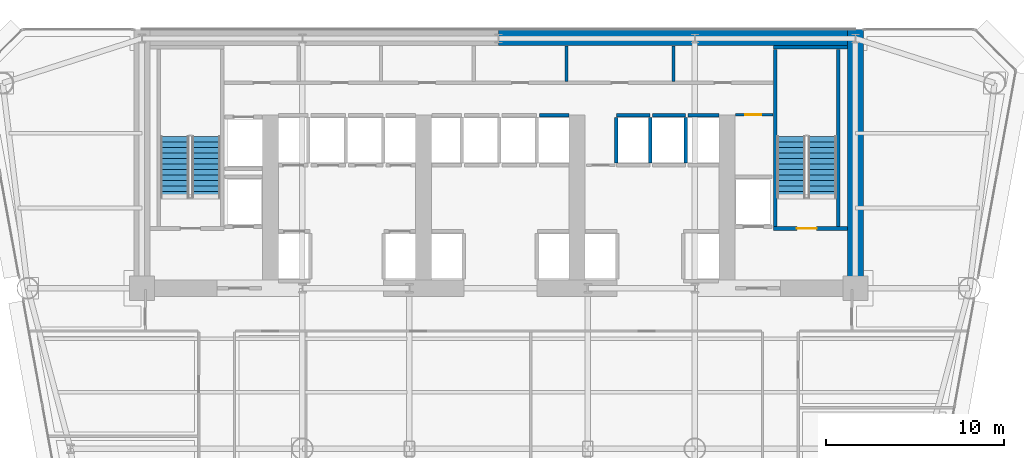
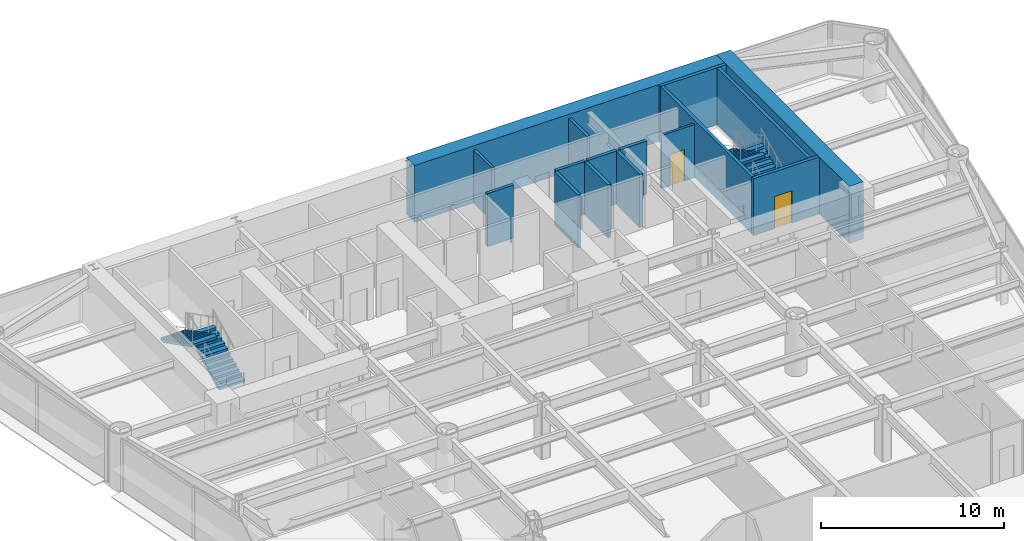
# One storey, part 10 of 14: 16 walls, 4 stair flights, 2 doors, 2 openings, 2 elements without a shape of their own.
"""IFC4 building model written with IfcOpenShell, lengths in metres."""

from ifc_helpers import new_model, si_unit, direction, frame, frame_2d, origin, place, context, subcontext, project, spatial, polyline, rectangle, outline, extrude, source, transform, mapped, material, layer, layer_set, type_object, element, fill, aggregate, save


model = new_model("IFC4")

# Units and contexts
model_context = context("Model", 3, precision=1e-05, world=origin(), true_north=direction((0.0, 1.0)))
body_context = subcontext(model_context, "Body", "Model", "MODEL_VIEW")
ifc_project = project(units=[si_unit("LENGTHUNIT", "METRE"), si_unit("AREAUNIT", "SQUARE_METRE"), si_unit("VOLUMEUNIT", "CUBIC_METRE"), si_unit("PLANEANGLEUNIT", "RADIAN"), si_unit("MASSUNIT", "GRAM", prefix="KILO")], contexts=[model_context])

# Site, building, storey
site_placement = place(None, origin())
site = spatial("IfcSite", under=ifc_project, at=site_placement, CompositionType="ELEMENT")
building_placement = place(site_placement, origin())
building = spatial("IfcBuilding", under=site, at=building_placement, Name="Vaeldorn Concourse Tower", CompositionType="ELEMENT")
storey_placement = place(building_placement, frame((0.0, 0.0, 79.60009765625)))
storey = spatial("IfcBuildingStorey", under=building, at=storey_placement, Name="L20", CompositionType="ELEMENT", Elevation=79.60009765625)

# Walls
ifc_material_1 = material(Name="Concrete C60/75", Category="concrete")
ifc_layer_1 = layer(ifc_material_1, 0.89990234375)
ifc_layer_set_1 = layer_set([ifc_layer_1], Name="Concrete C60/75")
wall_type_1 = type_object("IfcWallType", Name="WL-CORE-900", PredefinedType="SHEAR", material=ifc_layer_set_1)
wall_1_placement = place(storey_placement, frame((34.001953125, 50.550048828125, 0.0), z_axis=(0.0, 0.0, 1.0), x_axis=(1.0, 0.0, 0.0)))
element("IfcWall", 1, at=wall_1_placement, inside=storey, type_object=wall_type_1, Name="Rear Core Shear Wall L20 N2", PredefinedType="SHEAR", context=body_context, shape_type="SweptSolid", body=[
    extrude(rectangle(XDim=19.5439453125, YDim=0.89990234375, at=frame_2d((9.77197265625, 0.0))), origin(), (0.0, 0.0, 1.0), 3.7998046875),
])
wall_2_placement = place(storey_placement, frame((54.0, 36.5, 0.0), z_axis=(0.0, 0.0, 1.0), x_axis=(0.0, 1.0, 0.0)))
element("IfcWall", 2, at=wall_2_placement, inside=storey, type_object=wall_type_1, Name="Rear Core Shear Wall L20 E1", PredefinedType="SHEAR", context=body_context, shape_type="SweptSolid", body=[
    extrude(rectangle(XDim=14.5, YDim=0.89990234375, at=frame_2d((7.25, 0.0))), origin(), (0.0, 0.0, 1.0), 3.7998046875),
])

# Wall, opening, door
ifc_material_2 = material(Name="Gypsum Board Partition", Category="gypsum")
ifc_layer_2 = layer(ifc_material_2, 0.14990234375)
ifc_layer_set_2 = layer_set([ifc_layer_2], Name="Gypsum Board Partition")
wall_type_2 = type_object("IfcWallType", Name="WL-PART-150", PredefinedType="PARTITIONING", material=ifc_layer_set_2)
wall_3_placement = place(storey_placement, frame((47.280029296875, 46.219970703125, 0.0), z_axis=(0.0, 0.0, 1.0), x_axis=(1.0, 0.0, 0.0)))
wall_3 = element("IfcWall", 3, at=wall_3_placement, inside=storey, type_object=wall_type_2, Name="Interior Wall CW-L20-CRSE-N", PredefinedType="PARTITIONING", context=body_context, shape_type="SweptSolid", body=[
    extrude(rectangle(XDim=2.099853515625, YDim=0.14990234375, at=frame_2d((1.0498046875, 0.0))), origin(), (0.0, 0.0, 1.0), 3.539794921875),
])
opening_1_placement = place(wall_3_placement, frame((0.550048828125, 0.0, 0.0)))
opening_1 = element("IfcOpeningElement", 4, at=opening_1_placement, cuts=wall_3, Name="Opening D-02", PredefinedType="OPENING", context=body_context, shape_type="SweptSolid", body=[
    extrude(rectangle(XDim=0.89990234375, YDim=2.10009765625, at=frame_2d((0.449951171875, 1.050048828125))), frame((0.0, 0.0849609375, 0.0), z_axis=(0.0, -1.0, 0.0), x_axis=(1.0, 0.0, 0.0)), (0.0, 0.0, 1.0), 0.169921875),
])
ifc_material_3 = material(Name="Fire-Rated Timber Leaf", Category="wood")
door_type_1 = type_object("IfcDoorType", Name="DR-FD30-900", OperationType="NOTDEFINED", PredefinedType="DOOR", material=ifc_material_3)
shared_shape_1 = source(origin(), body_context, "Body", "SweptSolid", [
    extrude(rectangle(XDim=0.89990234375, YDim=2.10009765625, at=frame_2d((0.449951171875, 1.050048828125))), frame((0.0, 0.02490234375, 0.0), z_axis=(0.0, -1.0, 0.0), x_axis=(1.0, 0.0, 0.0)), (0.0, 0.0, 1.0), 0.050048828125),
])
door_1_placement = place(opening_1_placement, origin())
door_1 = element("IfcDoor", 5, at=door_1_placement, inside=storey, type_object=door_type_1, Name="Interior Door DR-L20-CRSE", OperationType="SINGLE_SWING_RIGHT", OverallHeight=2.10009765625, OverallWidth=0.89990234375, PredefinedType="DOOR", context=body_context, shape_type="MappedRepresentation", body=[
    mapped(shared_shape_1, transform((0.0, 0.0, 0.0), scale=1.0)),
])
fill(opening_1, door_1)

# Walls
ifc_layer_3 = layer(ifc_material_2, 0.179931640625)
ifc_layer_set_3 = layer_set([ifc_layer_3], Name="Gypsum Board Partition")
wall_type_3 = type_object("IfcWallType", Name="WL-PLUMB-180", PredefinedType="PLUMBINGWALL", material=ifc_layer_set_3)
for number, where, z_axis, x_axis, name in (
    (6, (37.800048828125, 48.10009765625, 0.0), (0.0, 0.0, 1.0), (0.0, 1.0, 0.0), "Interior Wall CW-L20-NDIV4"),
    (7, (43.800048828125, 48.10009765625, 0.0), (0.0, 0.0, 1.0), (0.0, 1.0, 0.0), "Interior Wall CW-L20-NDIV5"),
):
    element("IfcWall", number, at=place(storey_placement, frame(where, z_axis=z_axis, x_axis=x_axis)), inside=storey, type_object=wall_type_3, Name=name, PredefinedType="PLUMBINGWALL", context=body_context, shape_type="SweptSolid", body=[
        extrude(rectangle(XDim=1.97998046875, YDim=0.179931640625, at=frame_2d((0.989990234375, 0.0))), origin(), (0.0, 0.0, 1.0), 3.539794921875),
    ])

# Wall, opening, door
ifc_material_4 = material(Name="Concrete C50/60", Category="concrete")
ifc_layer_4 = layer(ifc_material_4, 0.199951171875)
ifc_layer_set_4 = layer_set([ifc_layer_4], Name="Concrete C50/60")
wall_type_4 = type_object("IfcWallType", Name="WL-SHAFT-200", PredefinedType="SOLIDWALL", material=ifc_layer_set_4)
wall_4_placement = place(storey_placement, frame((49.39990234375, 39.85009765625, 0.0), z_axis=(0.0, 0.0, 1.0), x_axis=(1.0, 0.0, 0.0)))
wall_4 = element("IfcWall", 8, at=wall_4_placement, inside=storey, type_object=wall_type_4, Name="Stair Shaft Wall CW-L20-ST-2-S", PredefinedType="SOLIDWALL", context=body_context, shape_type="SweptSolid", body=[
    extrude(rectangle(XDim=4.150146484375, YDim=0.199951171875, at=frame_2d((2.0751953125, 0.0))), origin(), (0.0, 0.0, 1.0), 3.7998046875),
])
opening_2_placement = place(wall_4_placement, frame((1.324951171875, 0.0, 0.0)))
opening_2 = element("IfcOpeningElement", 9, at=opening_2_placement, cuts=wall_4, Name="Opening D-01", PredefinedType="OPENING", context=body_context, shape_type="SweptSolid", body=[
    extrude(rectangle(XDim=1.10009765625, YDim=2.14990234375, at=frame_2d((0.550048828125, 1.074951171875))), frame((0.0, 0.10986328125, 0.0), z_axis=(0.0, -1.0, 0.0), x_axis=(1.0, 0.0, 0.0)), (0.0, 0.0, 1.0), 0.219970703125),
])
ifc_material_5 = material(Name="Fire-Rated Timber and Steel Leaf", Category="steel")
door_type_2 = type_object("IfcDoorType", Name="DR-FD60-1100", OperationType="NOTDEFINED", PredefinedType="DOOR", material=ifc_material_5)
shared_shape_2 = source(origin(), body_context, "Body", "SweptSolid", [
    extrude(rectangle(XDim=1.10009765625, YDim=2.14990234375, at=frame_2d((0.550048828125, 1.074951171875))), frame((0.0, 0.02490234375, 0.0), z_axis=(0.0, -1.0, 0.0), x_axis=(1.0, 0.0, 0.0)), (0.0, 0.0, 1.0), 0.050048828125),
])
door_2_placement = place(opening_2_placement, origin())
door_2 = element("IfcDoor", 10, at=door_2_placement, inside=storey, type_object=door_type_2, Name="Interior Door DR-L20-ST-2", OperationType="SINGLE_SWING_RIGHT", OverallHeight=2.14990234375, OverallWidth=1.10009765625, PredefinedType="DOOR", context=body_context, shape_type="MappedRepresentation", body=[
    mapped(shared_shape_2, transform((0.0, 0.0, 0.0), scale=1.0)),
])
fill(opening_2, door_2)

# Walls
wall_5_placement = place(storey_placement, frame((49.39990234375, 50.0, 0.0), z_axis=(0.0, 0.0, 1.0), x_axis=(1.0, 0.0, 0.0)))
element("IfcWall", 11, at=wall_5_placement, inside=storey, type_object=wall_type_4, Name="Stair Shaft Wall CW-L20-ST-2-N", PredefinedType="SOLIDWALL", context=body_context, shape_type="SweptSolid", body=[
    extrude(rectangle(XDim=4.150146484375, YDim=0.199951171875, at=frame_2d((2.0751953125, 0.0))), origin(), (0.0, 0.0, 1.0), 3.7998046875),
])
for number, where, z_axis, x_axis, name in (
    (12, (49.5, 39.9599609375, 0.0), (0.0, 0.0, 1.0), (0.0, 1.0, 0.0), "Stair Shaft Wall CW-L20-ST-2-W"),
    (13, (53.050048828125, 39.9599609375, 0.0), (0.0, 0.0, 1.0), (0.0, 1.0, 0.0), "Stair Shaft Wall CW-L20-ST-2-E"),
):
    element("IfcWall", number, at=place(storey_placement, frame(where, z_axis=z_axis, x_axis=x_axis)), inside=storey, type_object=wall_type_4, Name=name, PredefinedType="SOLIDWALL", context=body_context, shape_type="SweptSolid", body=[
        extrude(rectangle(XDim=9.929931640625, YDim=0.199951171875, at=frame_2d((4.96484375, 0.0))), origin(), (0.0, 0.0, 1.0), 3.7998046875),
    ])
wall_6_placement = place(storey_placement, frame((36.2900390625, 46.199951171875, 0.0), z_axis=(0.0, 0.0, 1.0), x_axis=(1.0, 0.0, 0.0)))
element("IfcWall", 14, at=wall_6_placement, inside=storey, type_object=wall_type_4, Name="Interior Wall CW-L20-LFB-LF-12", PredefinedType="SOLIDWALL", context=body_context, shape_type="SweptSolid", body=[
    extrude(rectangle(XDim=1.64990234375, YDim=0.199951171875, at=frame_2d((0.824951171875, 0.0))), origin(), (0.0, 0.0, 1.0), 3.539794921875),
])
wall_7_placement = place(storey_placement, frame((40.6201171875, 46.199951171875, 0.0), z_axis=(0.0, 0.0, 1.0), x_axis=(1.0, 0.0, 0.0)))
element("IfcWall", 15, at=wall_7_placement, inside=storey, type_object=wall_type_4, Name="Interior Wall CW-L20-LFB-LF-15", PredefinedType="SOLIDWALL", context=body_context, shape_type="SweptSolid", body=[
    extrude(rectangle(XDim=1.85986328125, YDim=0.199951171875, at=frame_2d((0.929931640625, 0.0))), origin(), (0.0, 0.0, 1.0), 3.539794921875),
])
for number, where, z_axis, x_axis, name in (
    (16, (40.60009765625, 43.52001953125, 0.0), (0.0, 0.0, 1.0), (0.0, 1.0, 0.0), "Interior Wall CW-L20-LFW-LF-15"),
    (17, (42.5, 43.52001953125, 0.0), (0.0, 0.0, 1.0), (0.0, 1.0, 0.0), "Interior Wall CW-L20-LFE-LF-15"),
):
    element("IfcWall", number, at=place(storey_placement, frame(where, z_axis=z_axis, x_axis=x_axis)), inside=storey, type_object=wall_type_4, Name=name, PredefinedType="SOLIDWALL", context=body_context, shape_type="SweptSolid", body=[
        extrude(rectangle(XDim=2.56005859375, YDim=0.199951171875, at=frame_2d((1.280029296875, 0.0))), origin(), (0.0, 0.0, 1.0), 3.539794921875),
    ])
wall_8_placement = place(storey_placement, frame((42.6201171875, 46.199951171875, 0.0), z_axis=(0.0, 0.0, 1.0), x_axis=(1.0, 0.0, 0.0)))
element("IfcWall", 18, at=wall_8_placement, inside=storey, type_object=wall_type_4, Name="Interior Wall CW-L20-LFB-LF-16", PredefinedType="SOLIDWALL", context=body_context, shape_type="SweptSolid", body=[
    extrude(rectangle(XDim=1.85986328125, YDim=0.199951171875, at=frame_2d((0.929931640625, 0.0))), origin(), (0.0, 0.0, 1.0), 3.539794921875),
])
wall_9_placement = place(storey_placement, frame((44.5, 43.52001953125, 0.0), z_axis=(0.0, 0.0, 1.0), x_axis=(0.0, 1.0, 0.0)))
element("IfcWall", 19, at=wall_9_placement, inside=storey, type_object=wall_type_4, Name="Interior Wall CW-L20-LFE-LF-16", PredefinedType="SOLIDWALL", context=body_context, shape_type="SweptSolid", body=[
    extrude(rectangle(XDim=2.56005859375, YDim=0.199951171875, at=frame_2d((1.280029296875, 0.0))), origin(), (0.0, 0.0, 1.0), 3.539794921875),
])
wall_10_placement = place(storey_placement, frame((44.6201171875, 46.199951171875, 0.0), z_axis=(0.0, 0.0, 1.0), x_axis=(1.0, 0.0, 0.0)))
element("IfcWall", 20, at=wall_10_placement, inside=storey, type_object=wall_type_4, Name="Interior Wall CW-L20-LFB-LF-17", PredefinedType="SOLIDWALL", context=body_context, shape_type="SweptSolid", body=[
    extrude(rectangle(XDim=1.719970703125, YDim=0.199951171875, at=frame_2d((0.85986328125, 0.0))), origin(), (0.0, 0.0, 1.0), 3.539794921875),
])

# Stair, stair flights
ifc_material_6 = material(Name="Precast concrete C40/50", Category="concrete")
stair_type = type_object("IfcStairType", Name="STR-DOG-24x158", PredefinedType="HALF_TURN_STAIR", material=ifc_material_6)
stair_1_placement = place(storey_placement, origin())
stair_1 = element("IfcStair", 21, at=stair_1_placement, inside=storey, type_object=stair_type, Name="L20 West Core Exit Stair ST-1", PredefinedType="HALF_TURN_STAIR")
stair_flight_type = type_object("IfcStairFlightType", Name="STF-STR-12x158", PredefinedType="STRAIGHT", material=ifc_material_6)
stair_flight_1_placement = place(storey_placement, frame((17.60009765625, 41.60009765625, 0.0), z_axis=(0.0, 0.0, 1.0), x_axis=(0.0, 1.0, 0.0)))
stair_flight_1 = element("IfcStairFlight", 22, at=stair_flight_1_placement, type_object=stair_flight_type, Name="ST-1 flight 1", NumberOfRisers=12, NumberOfTreads=11, PredefinedType="STRAIGHT", RiserHeight=0.158333333, TreadLength=0.31, context=body_context, shape_type="SweptSolid", body=[
    extrude(outline(polyline([(0.0, 0.0), (0.0, 0.158447265625), (0.31005859375, 0.158447265625), (0.31005859375, 0.316650390625), (0.6201171875, 0.316650390625), (0.6201171875, 0.47509765625), (0.929931640625, 0.47509765625), (0.929931640625, 0.63330078125), (1.239990234375, 0.63330078125), (1.239990234375, 0.791748046875), (1.550048828125, 0.791748046875), (1.550048828125, 0.949951171875), (1.860107421875, 0.949951171875), (1.860107421875, 1.1083984375), (2.169921875, 1.1083984375), (2.169921875, 1.2666015625), (2.47998046875, 1.2666015625), (2.47998046875, 1.425048828125), (2.7900390625, 1.425048828125), (2.7900390625, 1.583251953125), (3.10009765625, 1.583251953125), (3.10009765625, 1.74169921875), (3.409912109375, 1.74169921875), (3.409912109375, 1.89990234375), (3.409912109375, 1.5732421875), (0.32958984375, 0.0), (0.0, 0.0)])), frame((0.0, 0.800048828125, 0.0), z_axis=(0.0, -1.0, 0.0), x_axis=(1.0, 0.0, 0.0)), (0.0, 0.0, 1.0), 1.60009765625),
])
stair_flight_2_placement = place(storey_placement, frame((15.85009765625, 45.010009765625, 1.89990234375), z_axis=(0.0, 0.0, 1.0), x_axis=(0.0, -1.0, 0.0)))
stair_flight_2 = element("IfcStairFlight", 23, at=stair_flight_2_placement, type_object=stair_flight_type, Name="ST-1 flight 2", NumberOfRisers=12, NumberOfTreads=11, PredefinedType="STRAIGHT", RiserHeight=0.158333333, TreadLength=0.31, context=body_context, shape_type="SweptSolid", body=[
    extrude(outline(polyline([(0.0, 0.0), (0.0, 0.158447265625), (0.31005859375, 0.158447265625), (0.31005859375, 0.316650390625), (0.6201171875, 0.316650390625), (0.6201171875, 0.47509765625), (0.929931640625, 0.47509765625), (0.929931640625, 0.63330078125), (1.239990234375, 0.63330078125), (1.239990234375, 0.791748046875), (1.550048828125, 0.791748046875), (1.550048828125, 0.949951171875), (1.860107421875, 0.949951171875), (1.860107421875, 1.1083984375), (2.169921875, 1.1083984375), (2.169921875, 1.2666015625), (2.47998046875, 1.2666015625), (2.47998046875, 1.425048828125), (2.7900390625, 1.425048828125), (2.7900390625, 1.583251953125), (3.10009765625, 1.583251953125), (3.10009765625, 1.74169921875), (3.409912109375, 1.74169921875), (3.409912109375, 1.89990234375), (3.409912109375, 1.5732421875), (0.32958984375, 0.0), (0.0, 0.0)])), frame((0.0, 0.800048828125, 0.0), z_axis=(0.0, -1.0, 0.0), x_axis=(1.0, 0.0, 0.0)), (0.0, 0.0, 1.0), 1.60009765625),
])
aggregate(stair_1, [stair_flight_1, stair_flight_2])

stair_2_placement = place(storey_placement, origin())
stair_2 = element("IfcStair", 24, at=stair_2_placement, inside=storey, type_object=stair_type, Name="L20 East Core Exit Stair ST-2", PredefinedType="HALF_TURN_STAIR")
stair_flight_3_placement = place(storey_placement, frame((52.14990234375, 41.60009765625, 0.0), z_axis=(0.0, 0.0, 1.0), x_axis=(0.0, 1.0, 0.0)))
stair_flight_3 = element("IfcStairFlight", 25, at=stair_flight_3_placement, type_object=stair_flight_type, Name="ST-2 flight 1", NumberOfRisers=12, NumberOfTreads=11, PredefinedType="STRAIGHT", RiserHeight=0.158333333, TreadLength=0.31, context=body_context, shape_type="SweptSolid", body=[
    extrude(outline(polyline([(0.0, 0.0), (0.0, 0.158447265625), (0.31005859375, 0.158447265625), (0.31005859375, 0.316650390625), (0.6201171875, 0.316650390625), (0.6201171875, 0.47509765625), (0.929931640625, 0.47509765625), (0.929931640625, 0.63330078125), (1.239990234375, 0.63330078125), (1.239990234375, 0.791748046875), (1.550048828125, 0.791748046875), (1.550048828125, 0.949951171875), (1.860107421875, 0.949951171875), (1.860107421875, 1.1083984375), (2.169921875, 1.1083984375), (2.169921875, 1.2666015625), (2.47998046875, 1.2666015625), (2.47998046875, 1.425048828125), (2.7900390625, 1.425048828125), (2.7900390625, 1.583251953125), (3.10009765625, 1.583251953125), (3.10009765625, 1.74169921875), (3.409912109375, 1.74169921875), (3.409912109375, 1.89990234375), (3.409912109375, 1.5732421875), (0.32958984375, 0.0), (0.0, 0.0)])), frame((0.0, 0.800048828125, 0.0), z_axis=(0.0, -1.0, 0.0), x_axis=(1.0, 0.0, 0.0)), (0.0, 0.0, 1.0), 1.60009765625),
])
stair_flight_4_placement = place(storey_placement, frame((50.39990234375, 45.010009765625, 1.89990234375), z_axis=(0.0, 0.0, 1.0), x_axis=(0.0, -1.0, 0.0)))
stair_flight_4 = element("IfcStairFlight", 26, at=stair_flight_4_placement, type_object=stair_flight_type, Name="ST-2 flight 2", NumberOfRisers=12, NumberOfTreads=11, PredefinedType="STRAIGHT", RiserHeight=0.158333333, TreadLength=0.31, context=body_context, shape_type="SweptSolid", body=[
    extrude(outline(polyline([(0.0, 0.0), (0.0, 0.158447265625), (0.31005859375, 0.158447265625), (0.31005859375, 0.316650390625), (0.6201171875, 0.316650390625), (0.6201171875, 0.47509765625), (0.929931640625, 0.47509765625), (0.929931640625, 0.63330078125), (1.239990234375, 0.63330078125), (1.239990234375, 0.791748046875), (1.550048828125, 0.791748046875), (1.550048828125, 0.949951171875), (1.860107421875, 0.949951171875), (1.860107421875, 1.1083984375), (2.169921875, 1.1083984375), (2.169921875, 1.2666015625), (2.47998046875, 1.2666015625), (2.47998046875, 1.425048828125), (2.7900390625, 1.425048828125), (2.7900390625, 1.583251953125), (3.10009765625, 1.583251953125), (3.10009765625, 1.74169921875), (3.409912109375, 1.74169921875), (3.409912109375, 1.89990234375), (3.409912109375, 1.5732421875), (0.32958984375, 0.0), (0.0, 0.0)])), frame((0.0, 0.800048828125, 0.0), z_axis=(0.0, -1.0, 0.0), x_axis=(1.0, 0.0, 0.0)), (0.0, 0.0, 1.0), 1.60009765625),
])
aggregate(stair_2, [stair_flight_3, stair_flight_4])

save(model, "model.ifc")
